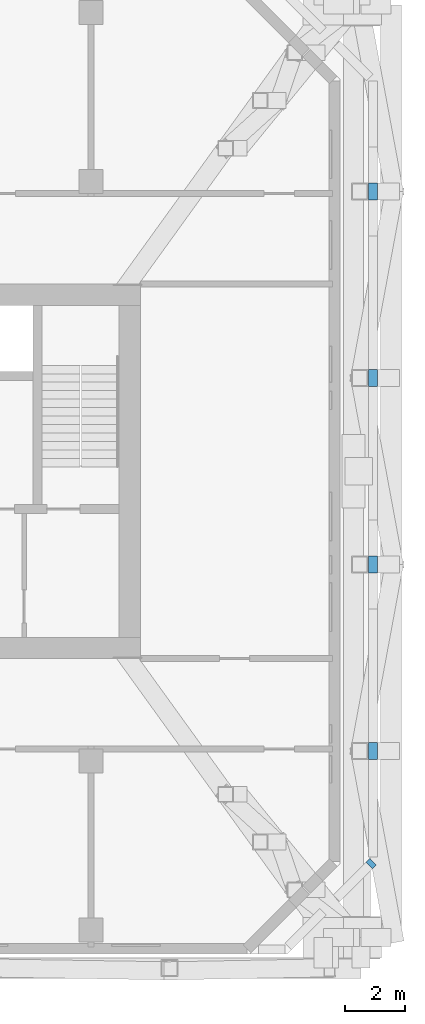
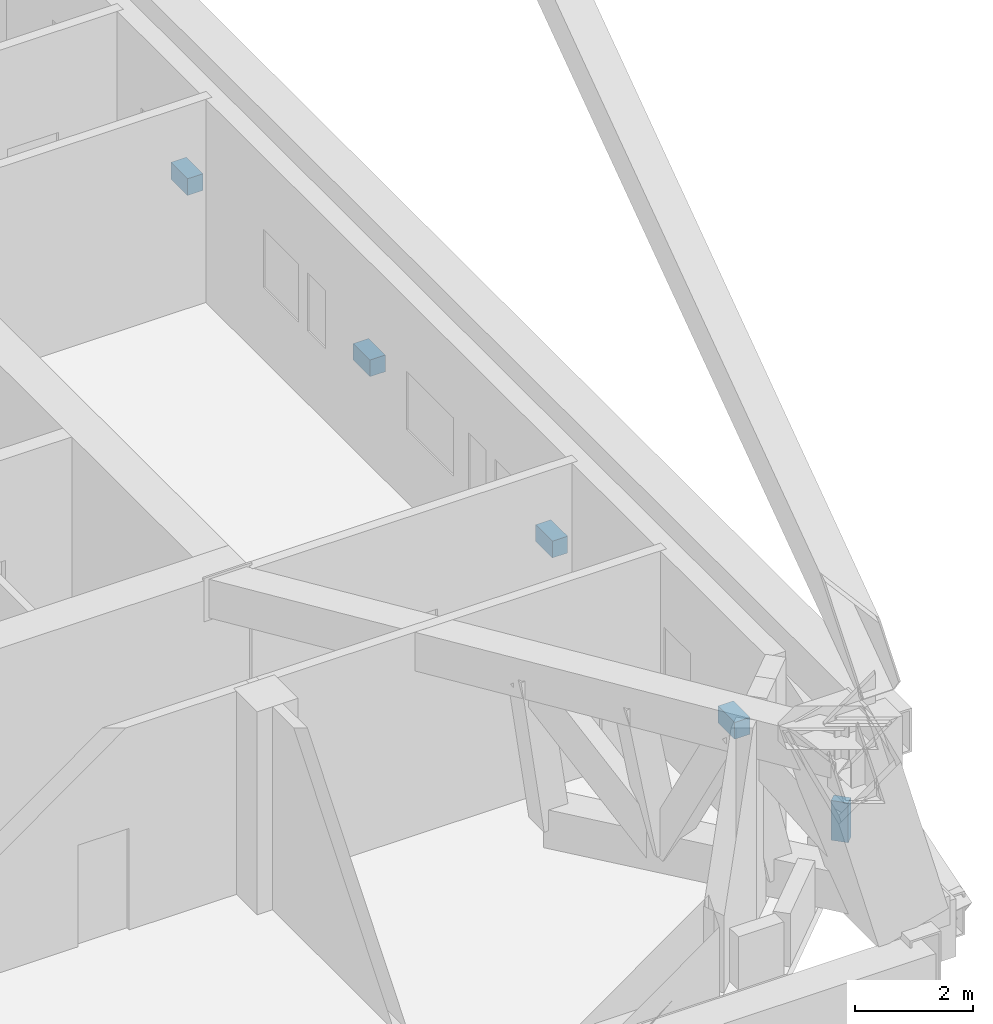
# One storey, part 16 of 20: 5 walls.
"""IFC4 building model written with IfcOpenShell, lengths in metres."""

from ifc_helpers import new_model, si_unit, direction, frame, frame_2d, origin, place, context, subcontext, project, spatial, rectangle, extrude, material, layer, layer_set, type_object, element, save


model = new_model("IFC4")

# Units and contexts
model_context = context("Model", 3, precision=1e-05, world=origin(), true_north=direction((0.0, 1.0)))
body_context = subcontext(model_context, "Body", "Model", "MODEL_VIEW")
ifc_project = project(units=[si_unit("LENGTHUNIT", "METRE"), si_unit("AREAUNIT", "SQUARE_METRE"), si_unit("VOLUMEUNIT", "CUBIC_METRE"), si_unit("PLANEANGLEUNIT", "RADIAN"), si_unit("MASSUNIT", "GRAM", prefix="KILO")], contexts=[model_context])

# Site, building, storey
site_placement = place(None, origin())
site = spatial("IfcSite", under=ifc_project, at=site_placement, CompositionType="ELEMENT")
building_placement = place(site_placement, origin())
building = spatial("IfcBuilding", under=site, at=building_placement, Name="Tuart Gate Housing", CompositionType="ELEMENT")
storey_placement = place(building_placement, frame((0.0, 0.0, 62.89990234375)))
storey = spatial("IfcBuildingStorey", under=building, at=storey_placement, Name="L17", CompositionType="ELEMENT", Elevation=62.89990234375)

# Walls
ifc_material = material(Name="Brick", Category="masonry")
ifc_layer = layer(ifc_material, 0.300048828125)
ifc_layer_set = layer_set([ifc_layer], Name="Brick parapet wall 300")
wall_type = type_object("IfcWallType", Name="Brick parapet wall 300", PredefinedType="PARAPET", material=ifc_layer_set)
wall_1_placement = place(storey_placement, frame((176.2294921875, 56.94189453125, 0.0), z_axis=(0.0, 0.0, 1.0), x_axis=(0.708539617255, 0.705671035809, 0.0)))
element("IfcWall", 1, at=wall_1_placement, inside=storey, type_object=wall_type, Name="Roof parapet B 2", PredefinedType="PARAPET", context=body_context, shape_type="SweptSolid", body=[
    extrude(rectangle(XDim=0.170166015625, YDim=0.300048828125, at=frame_2d((0.0849609375, 0.0))), origin(), (0.0, 0.0, 1.0), 0.822021484375),
])
wall_2_placement = place(storey_placement, frame((176.35009765625, 60.447021484375, 0.0), z_axis=(0.0, 0.0, 1.0), x_axis=(0.0, 1.0, 0.0)))
element("IfcWall", 2, at=wall_2_placement, inside=storey, type_object=wall_type, Name="Roof parapet B 3", PredefinedType="PARAPET", context=body_context, shape_type="SweptSolid", body=[
    extrude(rectangle(XDim=0.56591796875, YDim=0.300048828125, at=frame_2d((0.282958984375, 0.0))), origin(), (0.0, 0.0, 1.0), 0.347412109375),
])
for number, where, z_axis, x_axis, name in (
    (3, (176.35009765625, 66.626953125, 0.0), (0.0, 0.0, 1.0), (0.0, 1.0, 0.0), "Roof parapet B 3"),
    (4, (176.35009765625, 72.806884765625, 0.0), (0.0, 0.0, 1.0), (0.0, 1.0, 0.0), "Roof parapet B 3"),
):
    element("IfcWall", number, at=place(storey_placement, frame(where, z_axis=z_axis, x_axis=x_axis)), inside=storey, type_object=wall_type, Name=name, PredefinedType="PARAPET", context=body_context, shape_type="SweptSolid", body=[
        extrude(rectangle(XDim=0.566162109375, YDim=0.300048828125, at=frame_2d((0.283203125, 0.0))), origin(), (0.0, 0.0, 1.0), 0.347412109375),
    ])
wall_3_placement = place(storey_placement, frame((176.35009765625, 78.987060546875, 0.0), z_axis=(0.0, 0.0, 1.0), x_axis=(0.0, 1.0, 0.0)))
element("IfcWall", 5, at=wall_3_placement, inside=storey, type_object=wall_type, Name="Roof parapet B 3", PredefinedType="PARAPET", context=body_context, shape_type="SweptSolid", body=[
    extrude(rectangle(XDim=0.56591796875, YDim=0.300048828125, at=frame_2d((0.282958984375, 0.0))), origin(), (0.0, 0.0, 1.0), 0.347412109375),
])

save(model, "model.ifc")
